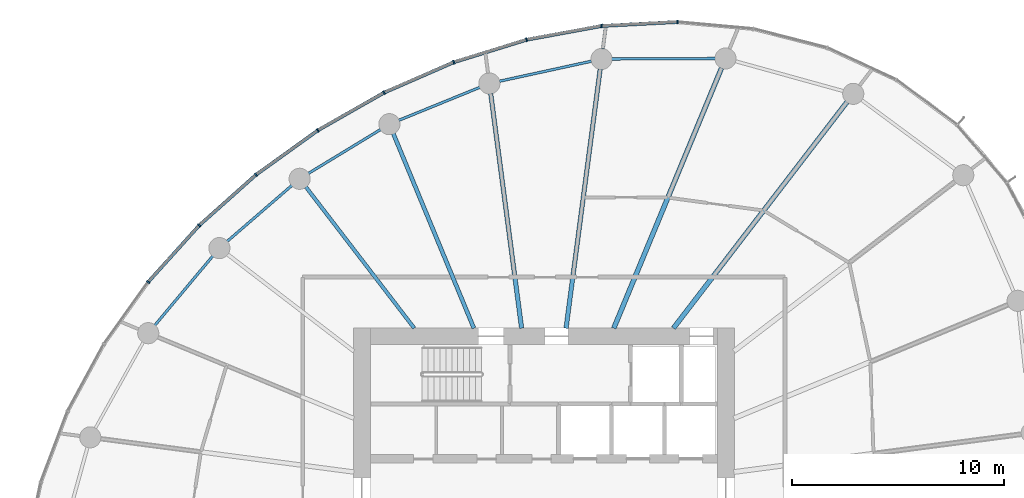
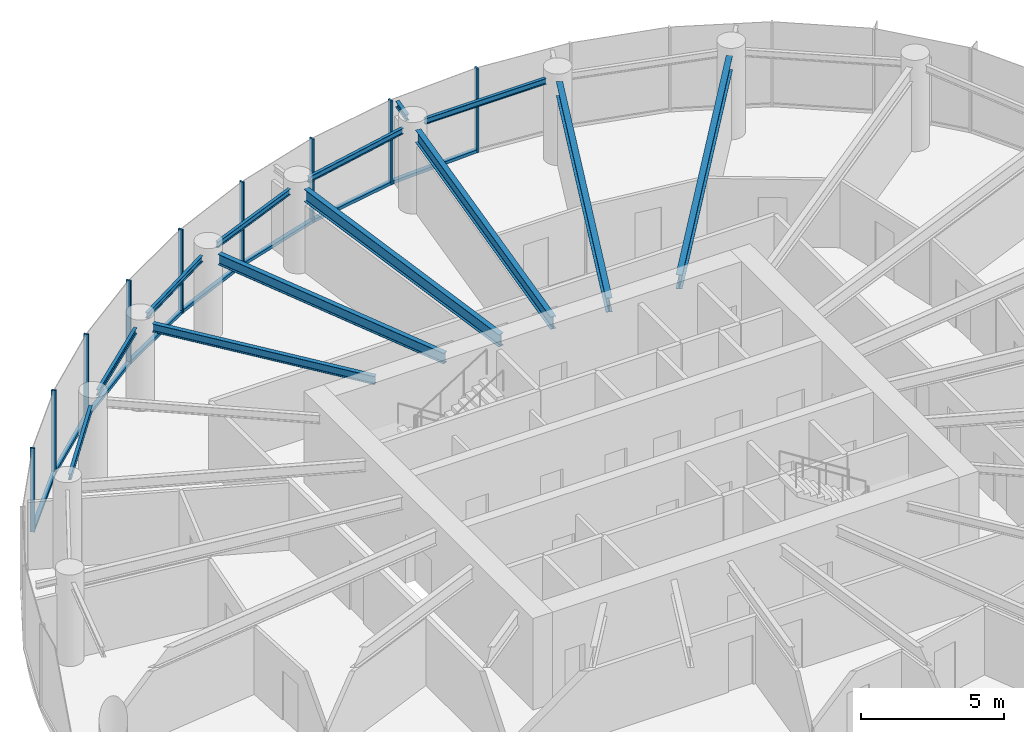
# One storey, part 5 of 14: 17 members, 13 beams, 3 elements without a shape of their own.
"""IFC4 building model written with IfcOpenShell, lengths in metres."""

from ifc_helpers import new_model, si_unit, direction, frame, origin, origin_2d, place, context, subcontext, project, spatial, rectangle, i_section, extrude, source, transform, mapped, material, layer, layer_set, material_profile, profile_set, type_object, element, aggregate, save


model = new_model("IFC4")

# Units and contexts
model_context = context("Model", 3, precision=1e-05, world=origin(), true_north=direction((0.0, 1.0)))
body_context = subcontext(model_context, "Body", "Model", "MODEL_VIEW")
ifc_project = project(units=[si_unit("LENGTHUNIT", "METRE"), si_unit("AREAUNIT", "SQUARE_METRE"), si_unit("VOLUMEUNIT", "CUBIC_METRE"), si_unit("PLANEANGLEUNIT", "RADIAN"), si_unit("MASSUNIT", "GRAM", prefix="KILO")], contexts=[model_context])

# Site, building, storey
site_placement = place(None, origin())
site = spatial("IfcSite", under=ifc_project, at=site_placement, CompositionType="ELEMENT")
building_placement = place(site_placement, origin())
building = spatial("IfcBuilding", under=site, at=building_placement, Name="Spindrift Exchange Tower", CompositionType="ELEMENT")
storey_placement = place(building_placement, frame((0.0, 0.0, 144.800048828125)))
storey = spatial("IfcBuildingStorey", under=building, at=storey_placement, Name="L34", CompositionType="ELEMENT", Elevation=144.800048828125)

# Beams
ifc_material_1 = material(Name="Steel Grade 300", Category="steel")
ifc_material_profile_1 = material_profile(ifc_material_1, i_section(OverallWidth=0.14599609375, OverallDepth=0.251953125, WebThickness=0.006103515625, FlangeThickness=0.008544921875, FilletRadius=0.011962890625, at=origin_2d()), Name="250UB31.4")
ifc_profile_set_1 = profile_set([ifc_material_profile_1], Name="Steel Grade 300")
beam_type_1 = type_object("IfcBeamType", Name="Cantilever Beam 250UB31.4 Steel Grade 300", PredefinedType="BEAM", material=ifc_profile_set_1)
shared_shape_1 = source(origin(), body_context, "Body", "SweptSolid", [
    extrude(i_section(OverallWidth=0.14599609375, OverallDepth=0.251953125, WebThickness=0.006103515625, FlangeThickness=0.008544921875, FilletRadius=0.011962890625, at=origin_2d()), origin(), (0.0, 0.0, 1.0), 0.9267578125),
])
beam_1_placement = place(storey_placement, frame((54.78857421875, 69.18115234375, 3.453857421875), z_axis=(0.130386374353, 0.991463258716, 0.0), x_axis=(-0.991463258716, 0.130386374353, 0.0)))
element("IfcBeam", 1, at=beam_1_placement, inside=storey, type_object=beam_type_1, Name="L34 cantilever beam R06T", PredefinedType="BEAM", context=body_context, shape_type="MappedRepresentation", body=[
    mapped(shared_shape_1, transform((0.0, 0.0, 0.0), scale=1.0)),
])
ifc_material_profile_2 = material_profile(ifc_material_1, i_section(OverallWidth=0.1240234375, OverallDepth=0.248046875, WebThickness=0.0048828125, FlangeThickness=0.008056640625, FilletRadius=0.011962890625, at=origin_2d()), Name="250UB25.7")
ifc_profile_set_2 = profile_set([ifc_material_profile_2], Name="Steel Grade 300")
beam_type_2 = type_object("IfcBeamType", Name="Edge Beam 250UB25.7 Steel Grade 300", PredefinedType="SPANDREL", material=ifc_profile_set_2)
shared_shape_2 = source(origin(), body_context, "Body", "SweptSolid", [
    extrude(i_section(OverallWidth=0.1240234375, OverallDepth=0.248046875, WebThickness=0.0048828125, FlangeThickness=0.008056640625, FilletRadius=0.011962890625, at=origin_2d()), origin(), (0.0, 0.0, 1.0), 4.901123046875),
])
beam_2_placement = place(storey_placement, frame((60.10693359375, 68.728759765625, 3.4560546875), z_axis=(-0.999990609444, -0.004333707747, 0.0), x_axis=(0.004333707747, -0.999990609444, 0.0)))
element("IfcBeam", 2, at=beam_2_placement, inside=storey, type_object=beam_type_2, Name="L34 edge beam E05", PredefinedType="SPANDREL", context=body_context, shape_type="MappedRepresentation", body=[
    mapped(shared_shape_2, transform((0.0, 0.0, 0.0), scale=1.0)),
])
shared_shape_3 = source(origin(), body_context, "Body", "SweptSolid", [
    extrude(i_section(OverallWidth=0.1240234375, OverallDepth=0.248046875, WebThickness=0.0048828125, FlangeThickness=0.008056640625, FilletRadius=0.011962890625, at=origin_2d()), origin(), (0.0, 0.0, 1.0), 4.464111328125),
])
beam_3_placement = place(storey_placement, frame((54.2568359375, 68.603271484375, 3.4560546875), z_axis=(-0.977095837978, -0.212799726048, 0.0), x_axis=(0.212799726048, -0.977095837978, 0.0)))
element("IfcBeam", 3, at=beam_3_placement, inside=storey, type_object=beam_type_2, Name="L34 edge beam E06", PredefinedType="SPANDREL", context=body_context, shape_type="MappedRepresentation", body=[
    mapped(shared_shape_3, transform((0.0, 0.0, 0.0), scale=1.0)),
])
shared_shape_4 = source(origin(), body_context, "Body", "SweptSolid", [
    extrude(i_section(OverallWidth=0.1240234375, OverallDepth=0.248046875, WebThickness=0.0048828125, FlangeThickness=0.008056640625, FilletRadius=0.011962890625, at=origin_2d()), origin(), (0.0, 0.0, 1.0), 4.143798828125),
])
beam_4_placement = place(storey_placement, frame((48.9814453125, 67.3701171875, 3.4560546875), z_axis=(-0.926113706975, -0.377244485385, 0.0), x_axis=(0.377244485385, -0.926113706975, 0.0)))
element("IfcBeam", 4, at=beam_4_placement, inside=storey, type_object=beam_type_2, Name="L34 edge beam E07", PredefinedType="SPANDREL", context=body_context, shape_type="MappedRepresentation", body=[
    mapped(shared_shape_4, transform((0.0, 0.0, 0.0), scale=1.0)),
])
shared_shape_5 = source(origin(), body_context, "Body", "SweptSolid", [
    extrude(i_section(OverallWidth=0.1240234375, OverallDepth=0.248046875, WebThickness=0.0048828125, FlangeThickness=0.008056640625, FilletRadius=0.011962890625, at=origin_2d()), origin(), (0.0, 0.0, 1.0), 4.00634765625),
])
beam_5_placement = place(storey_placement, frame((44.2890625, 65.376220703125, 3.4560546875), z_axis=(-0.854331495603, -0.519728482596, 0.0), x_axis=(0.519728482596, -0.854331495603, 0.0)))
element("IfcBeam", 5, at=beam_5_placement, inside=storey, type_object=beam_type_2, Name="L34 edge beam E08", PredefinedType="SPANDREL", context=body_context, shape_type="MappedRepresentation", body=[
    mapped(shared_shape_5, transform((0.0, 0.0, 0.0), scale=1.0)),
])
shared_shape_6 = source(origin(), body_context, "Body", "SweptSolid", [
    extrude(i_section(OverallWidth=0.1240234375, OverallDepth=0.248046875, WebThickness=0.0048828125, FlangeThickness=0.008056640625, FilletRadius=0.011962890625, at=origin_2d()), origin(), (0.0, 0.0, 1.0), 4.052001953125),
])
beam_6_placement = place(storey_placement, frame((40.093017578125, 62.730712890625, 3.4560546875), z_axis=(-0.756715968535, -0.65374379, 0.0), x_axis=(0.65374379, -0.756715968535, 0.0)))
element("IfcBeam", 6, at=beam_6_placement, inside=storey, type_object=beam_type_2, Name="L34 edge beam E09", PredefinedType="SPANDREL", context=body_context, shape_type="MappedRepresentation", body=[
    mapped(shared_shape_6, transform((0.0, 0.0, 0.0), scale=1.0)),
])
shared_shape_7 = source(origin(), body_context, "Body", "SweptSolid", [
    extrude(i_section(OverallWidth=0.1240234375, OverallDepth=0.248046875, WebThickness=0.0048828125, FlangeThickness=0.008056640625, FilletRadius=0.011962890625, at=origin_2d()), origin(), (0.0, 0.0, 1.0), 4.282958984375),
])
beam_7_placement = place(storey_placement, frame((36.355712890625, 59.399658203125, 3.4560546875), z_axis=(-0.641400288548, -0.767206406289, 0.0), x_axis=(0.767206406289, -0.641400288548, 0.0)))
element("IfcBeam", 7, at=beam_7_placement, inside=storey, type_object=beam_type_2, Name="L34 edge beam E10", PredefinedType="SPANDREL", context=body_context, shape_type="MappedRepresentation", body=[
    mapped(shared_shape_7, transform((0.0, 0.0, 0.0), scale=1.0)),
])
ifc_material_profile_3 = material_profile(ifc_material_1, i_section(OverallWidth=0.22802734375, OverallDepth=0.60205078125, WebThickness=0.010498046875, FlangeThickness=0.014892578125, FilletRadius=0.013916015625, at=origin_2d()), Name="610UB101")
ifc_profile_set_3 = profile_set([ifc_material_profile_3], Name="Steel Grade 300")
beam_type_3 = type_object("IfcBeamType", Name="Floor Beam 610UB101 Steel Grade 300", PredefinedType="BEAM", material=ifc_profile_set_3)
shared_shape_8 = source(origin(), body_context, "Body", "SweptSolid", [
    extrude(i_section(OverallWidth=0.22802734375, OverallDepth=0.60205078125, WebThickness=0.010498046875, FlangeThickness=0.014892578125, FilletRadius=0.013916015625, at=origin_2d()), origin(), (0.0, 0.0, 1.0), 13.480224609375),
])
beam_8_placement = place(storey_placement, frame((58.12646484375, 55.984130859375, 3.279052734375), z_axis=(0.608764179541, 0.793351229726, 0.0), x_axis=(-0.793351229726, 0.608764179541, 0.0)))
element("IfcBeam", 8, at=beam_8_placement, inside=storey, type_object=beam_type_3, Name="L34 radial beam R04A", PredefinedType="BEAM", context=body_context, shape_type="MappedRepresentation", body=[
    mapped(shared_shape_8, transform((0.0, 0.0, 0.0), scale=1.0)),
])
shared_shape_9 = source(origin(), body_context, "Body", "SweptSolid", [
    extrude(i_section(OverallWidth=0.22802734375, OverallDepth=0.60205078125, WebThickness=0.010498046875, FlangeThickness=0.014892578125, FilletRadius=0.013916015625, at=origin_2d()), origin(), (0.0, 0.0, 1.0), 13.31982421875),
])
beam_9_placement = place(storey_placement, frame((55.30615234375, 55.9814453125, 3.279052734375), z_axis=(0.382676632888, 0.923882348918, 0.0), x_axis=(-0.923882348918, 0.382676632888, 0.0)))
element("IfcBeam", 9, at=beam_9_placement, inside=storey, type_object=beam_type_3, Name="L34 radial beam R05A", PredefinedType="BEAM", context=body_context, shape_type="MappedRepresentation", body=[
    mapped(shared_shape_9, transform((0.0, 0.0, 0.0), scale=1.0)),
])
ifc_material_profile_4 = material_profile(ifc_material_1, i_section(OverallWidth=0.208984375, OverallDepth=0.528076171875, WebThickness=0.009521484375, FlangeThickness=0.01318359375, FilletRadius=0.013916015625, at=origin_2d()), Name="530UB82.0")
ifc_profile_set_4 = profile_set([ifc_material_profile_4], Name="Steel Grade 300")
beam_type_4 = type_object("IfcBeamType", Name="Floor Beam 530UB82.0 Steel Grade 300", PredefinedType="BEAM", material=ifc_profile_set_4)
shared_shape_10 = source(origin(), body_context, "Body", "SweptSolid", [
    extrude(i_section(OverallWidth=0.208984375, OverallDepth=0.528076171875, WebThickness=0.009521484375, FlangeThickness=0.01318359375, FilletRadius=0.013916015625, at=origin_2d()), origin(), (0.0, 0.0, 1.0), 12.35498046875),
])
beam_10_placement = place(storey_placement, frame((53.050537109375, 55.980224609375, 3.31591796875), z_axis=(0.130537831721, 0.991443328935, 0.0), x_axis=(-0.991443328935, 0.130537831721, 0.0)))
element("IfcBeam", 10, at=beam_10_placement, inside=storey, type_object=beam_type_4, Name="L34 radial beam R06A", PredefinedType="BEAM", context=body_context, shape_type="MappedRepresentation", body=[
    mapped(shared_shape_10, transform((0.0, 0.0, 0.0), scale=1.0)),
])
shared_shape_11 = source(origin(), body_context, "Body", "SweptSolid", [
    extrude(i_section(OverallWidth=0.208984375, OverallDepth=0.528076171875, WebThickness=0.009521484375, FlangeThickness=0.01318359375, FilletRadius=0.013916015625, at=origin_2d()), origin(), (0.0, 0.0, 1.0), 11.19091796875),
])
beam_11_placement = place(storey_placement, frame((50.949462890625, 55.980224609375, 3.31591796875), z_axis=(-0.130524489434, 0.991445085548, 0.0), x_axis=(-0.991445085548, -0.130524489434, 0.0)))
element("IfcBeam", 11, at=beam_11_placement, inside=storey, type_object=beam_type_4, Name="L34 radial beam R07A", PredefinedType="BEAM", context=body_context, shape_type="MappedRepresentation", body=[
    mapped(shared_shape_11, transform((0.0, 0.0, 0.0), scale=1.0)),
])
ifc_material_profile_5 = material_profile(ifc_material_1, i_section(OverallWidth=0.18994140625, OverallDepth=0.4541015625, WebThickness=0.008544921875, FlangeThickness=0.0126953125, FilletRadius=0.013916015625, at=origin_2d()), Name="460UB67.1")
ifc_profile_set_5 = profile_set([ifc_material_profile_5], Name="Steel Grade 300")
beam_type_5 = type_object("IfcBeamType", Name="Floor Beam 460UB67.1 Steel Grade 300", PredefinedType="BEAM", material=ifc_profile_set_5)
shared_shape_12 = source(origin(), body_context, "Body", "SweptSolid", [
    extrude(i_section(OverallWidth=0.18994140625, OverallDepth=0.4541015625, WebThickness=0.008544921875, FlangeThickness=0.0126953125, FilletRadius=0.013916015625, at=origin_2d()), origin(), (0.0, 0.0, 1.0), 9.958984375),
])
beam_12_placement = place(storey_placement, frame((48.69384765625, 55.9814453125, 3.35302734375), z_axis=(-0.382673670509, 0.923883575944, 0.0), x_axis=(-0.923883575944, -0.382673670509, 0.0)))
element("IfcBeam", 12, at=beam_12_placement, inside=storey, type_object=beam_type_5, Name="L34 radial beam R08A", PredefinedType="BEAM", context=body_context, shape_type="MappedRepresentation", body=[
    mapped(shared_shape_12, transform((0.0, 0.0, 0.0), scale=1.0)),
])
ifc_material_profile_6 = material_profile(ifc_material_1, i_section(OverallWidth=0.1708984375, OverallDepth=0.35205078125, WebThickness=0.0068359375, FlangeThickness=0.009765625, FilletRadius=0.013916015625, at=origin_2d()), Name="360UB44.7")
ifc_profile_set_6 = profile_set([ifc_material_profile_6], Name="Steel Grade 300")
beam_type_6 = type_object("IfcBeamType", Name="Floor Beam 360UB44.7 Steel Grade 300", PredefinedType="BEAM", material=ifc_profile_set_6)
shared_shape_13 = source(origin(), body_context, "Body", "SweptSolid", [
    extrude(i_section(OverallWidth=0.1708984375, OverallDepth=0.35205078125, WebThickness=0.0068359375, FlangeThickness=0.009765625, FilletRadius=0.013916015625, at=origin_2d()), origin(), (0.0, 0.0, 1.0), 8.419189453125),
])
beam_13_placement = place(storey_placement, frame((45.87353515625, 55.984130859375, 3.404052734375), z_axis=(-0.608755970582, 0.79335752866, 0.0), x_axis=(-0.79335752866, -0.608755970582, 0.0)))
element("IfcBeam", 13, at=beam_13_placement, inside=storey, type_object=beam_type_6, Name="L34 radial beam R09A", PredefinedType="BEAM", context=body_context, shape_type="MappedRepresentation", body=[
    mapped(shared_shape_13, transform((0.0, 0.0, 0.0), scale=1.0)),
])

# Curtain wall, member
ifc_material_2 = material(Name="Fritted laminated glass with bronze frame", Category="glass")
ifc_layer = layer(ifc_material_2, 0.179931640625)
ifc_layer_set = layer_set([ifc_layer], Name="ZONE 3 BRONZE FRITTED WALL")
curtain_wall_type = type_object("IfcCurtainWallType", Name="ZONE 3 BRONZE FRITTED WALL", PredefinedType="NOTDEFINED", material=ifc_layer_set)
curtain_wall_1_placement = place(storey_placement, origin())
curtain_wall_1 = element("IfcCurtainWall", 14, at=curtain_wall_1_placement, inside=storey, type_object=curtain_wall_type, Name="L34 Zone 3 Bronze Fritted Wall run 1", PredefinedType="NOTDEFINED")
ifc_material_3 = material(Name="Bronze anodised aluminium", Category="aluminium")
ifc_material_profile_7 = material_profile(ifc_material_3, rectangle(XDim=0.070068359375, YDim=0.179931640625, at=origin_2d()), Name="ZONE 3 BRONZE FRITTED WALL MULLION 70X180")
ifc_profile_set_7 = profile_set([ifc_material_profile_7], Name="Bronze anodised aluminium")
member_type_1 = type_object("IfcMemberType", Name="ZONE 3 BRONZE FRITTED WALL MULLION 70X180", PredefinedType="MULLION", material=ifc_profile_set_7)
shared_shape_14 = source(origin(), body_context, "Body", "SweptSolid", [
    extrude(rectangle(XDim=0.070068359375, YDim=0.179931640625, at=origin_2d()), origin(), (0.0, 0.0, 1.0), 3.579833984375),
])
member_1_placement = place(storey_placement, frame((58.321533203125, 70.459228515625, 0.0), z_axis=(0.0, 0.0, 1.0), x_axis=(-0.999825985442, 0.018654726893, 0.0)))
member_1 = element("IfcMember", 15, at=member_1_placement, type_object=member_type_1, Name="L34 mullion CW-3.6", PredefinedType="MULLION", context=body_context, shape_type="MappedRepresentation", body=[
    mapped(shared_shape_14, transform((0.0, 0.0, 0.0), scale=1.0)),
])

# Curtain wall, members
curtain_wall_2_placement = place(storey_placement, origin())
curtain_wall_2 = element("IfcCurtainWall", 16, at=curtain_wall_2_placement, inside=storey, type_object=curtain_wall_type, Name="L34 Zone 3 Bronze Fritted Wall run 2", PredefinedType="NOTDEFINED")
member_2_placement = place(storey_placement, frame((54.726806640625, 70.269287109375, 0.0), z_axis=(0.0, 0.0, 1.0), x_axis=(-0.993146788496, -0.11687367753, 0.0)))
member_2 = element("IfcMember", 17, at=member_2_placement, type_object=member_type_1, Name="L34 mullion CW-3.7", PredefinedType="MULLION", context=body_context, shape_type="MappedRepresentation", body=[
    mapped(shared_shape_14, transform((0.0, 0.0, 0.0), scale=1.0)),
])
member_3_placement = place(storey_placement, frame((51.185546875, 69.619384765625, 0.0), z_axis=(0.0, 0.0, 1.0), x_axis=(-0.971177289113, -0.238358287273, 0.0)))
member_3 = element("IfcMember", 18, at=member_3_placement, type_object=member_type_1, Name="L34 mullion CW-3.8", PredefinedType="MULLION", context=body_context, shape_type="MappedRepresentation", body=[
    mapped(shared_shape_14, transform((0.0, 0.0, 0.0), scale=1.0)),
])
member_4_placement = place(storey_placement, frame((47.74560546875, 68.555908203125, 0.0), z_axis=(0.0, 0.0, 1.0), x_axis=(-0.937505995083, -0.347969121021, 0.0)))
member_4 = element("IfcMember", 19, at=member_4_placement, type_object=member_type_1, Name="L34 mullion CW-3.9", PredefinedType="MULLION", context=body_context, shape_type="MappedRepresentation", body=[
    mapped(shared_shape_14, transform((0.0, 0.0, 0.0), scale=1.0)),
])
member_5_placement = place(storey_placement, frame((44.444580078125, 67.117431640625, 0.0), z_axis=(0.0, 0.0, 1.0), x_axis=(-0.894098825236, -0.447869725156, 0.0)))
member_5 = element("IfcMember", 20, at=member_5_placement, type_object=member_type_1, Name="L34 mullion CW-3.10", PredefinedType="MULLION", context=body_context, shape_type="MappedRepresentation", body=[
    mapped(shared_shape_14, transform((0.0, 0.0, 0.0), scale=1.0)),
])
member_6_placement = place(storey_placement, frame((41.31591796875, 65.335205078125, 0.0), z_axis=(0.0, 0.0, 1.0), x_axis=(-0.841739305239, -0.539884193153, 0.0)))
member_6 = element("IfcMember", 21, at=member_6_placement, type_object=member_type_1, Name="L34 mullion CW-3.11", PredefinedType="MULLION", context=body_context, shape_type="MappedRepresentation", body=[
    mapped(shared_shape_14, transform((0.0, 0.0, 0.0), scale=1.0)),
])
member_7_placement = place(storey_placement, frame((38.390869140625, 63.234619140625, 0.0), z_axis=(0.0, 0.0, 1.0), x_axis=(-0.780332028842, -0.625365432978, 0.0)))
member_7 = element("IfcMember", 22, at=member_7_placement, type_object=member_type_1, Name="L34 mullion CW-3.12", PredefinedType="MULLION", context=body_context, shape_type="MappedRepresentation", body=[
    mapped(shared_shape_14, transform((0.0, 0.0, 0.0), scale=1.0)),
])

curtain_wall_3_placement = place(storey_placement, origin())
curtain_wall_3 = element("IfcCurtainWall", 23, at=curtain_wall_3_placement, inside=storey, type_object=curtain_wall_type, Name="L34 Zone 3 Bronze Fritted Wall run 3", PredefinedType="NOTDEFINED")
member_8_placement = place(storey_placement, frame((35.703857421875, 60.837646484375, 0.0), z_axis=(0.0, 0.0, 1.0), x_axis=(-0.708994487698, -0.705214021708, 0.0)))
member_8 = element("IfcMember", 24, at=member_8_placement, type_object=member_type_1, Name="L34 mullion CW-3.13", PredefinedType="MULLION", context=body_context, shape_type="MappedRepresentation", body=[
    mapped(shared_shape_14, transform((0.0, 0.0, 0.0), scale=1.0)),
])
member_9_placement = place(storey_placement, frame((33.29248046875, 58.16357421875, 0.0), z_axis=(0.0, 0.0, 1.0), x_axis=(-0.626120995617, -0.779725912643, 0.0)))
member_9 = element("IfcMember", 25, at=member_9_placement, type_object=member_type_1, Name="L34 mullion CW-3.14", PredefinedType="MULLION", context=body_context, shape_type="MappedRepresentation", body=[
    mapped(shared_shape_14, transform((0.0, 0.0, 0.0), scale=1.0)),
])

# Member
ifc_material_profile_8 = material_profile(ifc_material_3, rectangle(XDim=0.159912109375, YDim=0.1298828125, at=origin_2d()), Name="ZONE 3 BRONZE FRITTED WALL TRANSOM 160X130")
ifc_profile_set_8 = profile_set([ifc_material_profile_8], Name="Bronze anodised aluminium")
member_type_2 = type_object("IfcMemberType", Name="ZONE 3 BRONZE FRITTED WALL TRANSOM 160X130", PredefinedType="USERDEFINED", material=ifc_profile_set_8)
shared_shape_15 = source(origin(), body_context, "Body", "SweptSolid", [
    extrude(rectangle(XDim=0.159912109375, YDim=0.1298828125, at=origin_2d()), origin(), (0.0, 0.0, 1.0), 3.53076171875),
])
member_10_placement = place(storey_placement, frame((47.713623046875, 68.5419921875, 0.06494140625), z_axis=(-0.916724537208, -0.399519865439, 0.0), x_axis=(0.399519865439, -0.916724537208, 0.0)))
member_10 = element("IfcMember", 26, at=member_10_placement, type_object=member_type_2, Name="L34 transom CW-3.9", ObjectType="TRANSOM", PredefinedType="USERDEFINED", context=body_context, shape_type="MappedRepresentation", body=[
    mapped(shared_shape_15, transform((0.0, 0.0, 0.0), scale=1.0)),
])

member_11_placement = place(storey_placement, frame((41.287353515625, 65.314697265625, 0.06494140625), z_axis=(-0.812249812094, -0.583309731406, 0.0), x_axis=(0.583309731406, -0.812249812094, 0.0)))
member_11 = element("IfcMember", 27, at=member_11_placement, type_object=member_type_2, Name="L34 transom CW-3.11", ObjectType="TRANSOM", PredefinedType="USERDEFINED", context=body_context, shape_type="MappedRepresentation", body=[
    mapped(shared_shape_15, transform((0.0, 0.0, 0.0), scale=1.0)),
])

member_12_placement = place(storey_placement, frame((38.36474609375, 63.211181640625, 0.06494140625), z_axis=(-0.746236946193, -0.665680418922, 0.0), x_axis=(0.665680418922, -0.746236946193, 0.0)))
member_12 = element("IfcMember", 28, at=member_12_placement, type_object=member_type_2, Name="L34 transom CW-3.12", ObjectType="TRANSOM", PredefinedType="USERDEFINED", context=body_context, shape_type="MappedRepresentation", body=[
    mapped(shared_shape_15, transform((0.0, 0.0, 0.0), scale=1.0)),
])

member_13_placement = place(storey_placement, frame((35.680419921875, 60.8115234375, 0.06494140625), z_axis=(-0.669690266842, -0.742640523065, 0.0), x_axis=(0.742640523065, -0.669690266842, 0.0)))
member_13 = element("IfcMember", 29, at=member_13_placement, type_object=member_type_2, Name="L34 transom CW-3.13", ObjectType="TRANSOM", PredefinedType="USERDEFINED", context=body_context, shape_type="MappedRepresentation", body=[
    mapped(shared_shape_15, transform((0.0, 0.0, 0.0), scale=1.0)),
])

aggregate(curtain_wall_3, [member_8, member_13, member_9])

shared_shape_16 = source(origin(), body_context, "Body", "SweptSolid", [
    extrude(rectangle(XDim=0.159912109375, YDim=0.1298828125, at=origin_2d()), origin(), (0.0, 0.0, 1.0), 3.531005859375),
])
member_14_placement = place(storey_placement, frame((44.414306640625, 67.10009765625, 0.06494140625), z_axis=(-0.868931615813, -0.49493216408, 0.0), x_axis=(0.49493216408, -0.868931615813, 0.0)))
member_14 = element("IfcMember", 30, at=member_14_placement, type_object=member_type_2, Name="L34 transom CW-3.10", ObjectType="TRANSOM", PredefinedType="USERDEFINED", context=body_context, shape_type="MappedRepresentation", body=[
    mapped(shared_shape_16, transform((0.0, 0.0, 0.0), scale=1.0)),
])

shared_shape_17 = source(origin(), body_context, "Body", "SweptSolid", [
    extrude(rectangle(XDim=0.159912109375, YDim=0.1298828125, at=origin_2d()), origin(), (0.0, 0.0, 1.0), 3.5302734375),
])
member_15_placement = place(storey_placement, frame((54.6923828125, 70.262939453125, 0.06494140625), z_axis=(-0.983576492141, -0.180491784046, 0.0), x_axis=(0.180491784046, -0.983576492141, 0.0)))
member_15 = element("IfcMember", 31, at=member_15_placement, type_object=member_type_2, Name="L34 transom CW-3.7", ObjectType="TRANSOM", PredefinedType="USERDEFINED", context=body_context, shape_type="MappedRepresentation", body=[
    mapped(shared_shape_17, transform((0.0, 0.0, 0.0), scale=1.0)),
])

shared_shape_18 = source(origin(), body_context, "Body", "SweptSolid", [
    extrude(rectangle(XDim=0.159912109375, YDim=0.1298828125, at=origin_2d()), origin(), (0.0, 0.0, 1.0), 3.530517578125),
])
member_16_placement = place(storey_placement, frame((51.152099609375, 69.609130859375, 0.06494140625), z_axis=(-0.955371420238, -0.295407260224, 0.0), x_axis=(0.295407260224, -0.955371420238, 0.0)))
member_16 = element("IfcMember", 32, at=member_16_placement, type_object=member_type_2, Name="L34 transom CW-3.8", ObjectType="TRANSOM", PredefinedType="USERDEFINED", context=body_context, shape_type="MappedRepresentation", body=[
    mapped(shared_shape_18, transform((0.0, 0.0, 0.0), scale=1.0)),
])

aggregate(curtain_wall_2, [member_2, member_15, member_3, member_16, member_4, member_10, member_5, member_14, member_6, member_11, member_7, member_12])

shared_shape_19 = source(origin(), body_context, "Body", "SweptSolid", [
    extrude(rectangle(XDim=0.159912109375, YDim=0.1298828125, at=origin_2d()), origin(), (0.0, 0.0, 1.0), 3.52978515625),
])
member_17_placement = place(storey_placement, frame((58.28662109375, 70.457275390625, 0.06494140625), z_axis=(-0.998610176188, -0.052704041713, 0.0), x_axis=(0.052704041713, -0.998610176188, 0.0)))
member_17 = element("IfcMember", 33, at=member_17_placement, type_object=member_type_2, Name="L34 transom CW-3.6", ObjectType="TRANSOM", PredefinedType="USERDEFINED", context=body_context, shape_type="MappedRepresentation", body=[
    mapped(shared_shape_19, transform((0.0, 0.0, 0.0), scale=1.0)),
])

aggregate(curtain_wall_1, [member_1, member_17])

save(model, "model.ifc")
